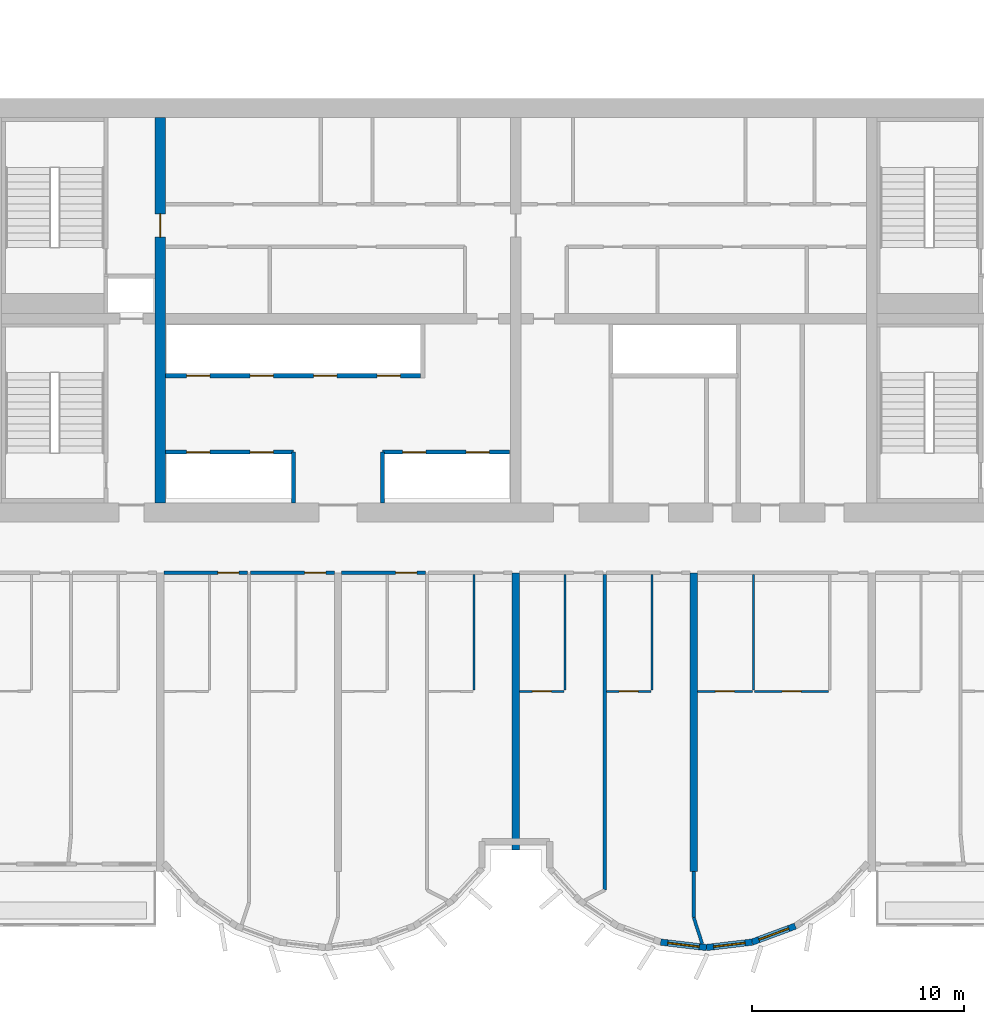
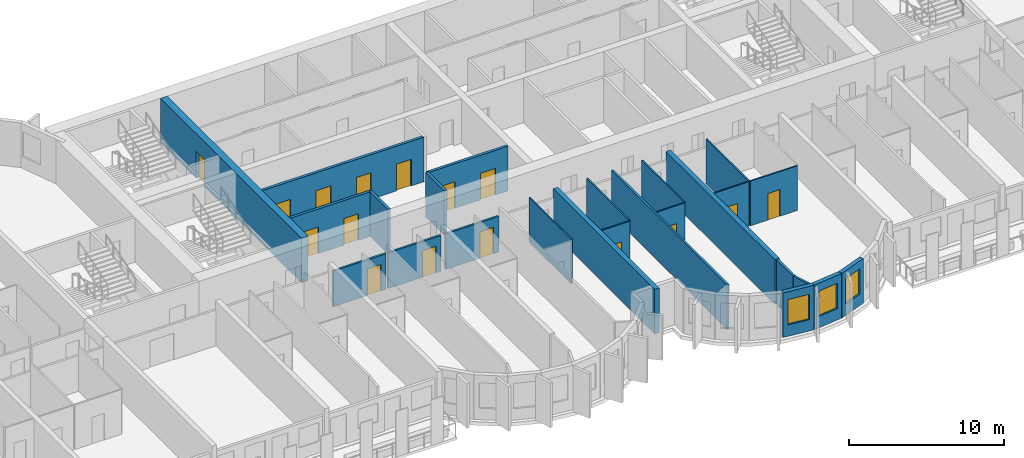
# One storey, part 6 of 15: 25 walls, 16 doors, 3 windows, 19 openings.
"""IFC4 building model written with IfcOpenShell, lengths in metres."""

from ifc_helpers import new_model, si_unit, direction, frame, frame_2d, origin, place, context, subcontext, project, spatial, rectangle, extrude, source, transform, mapped, material, layer, layer_set, type_object, element, fill, save


model = new_model("IFC4")

# Units and contexts
model_context = context("Model", 3, precision=1e-05, world=origin(), true_north=direction((0.0, 1.0)))
body_context = subcontext(model_context, "Body", "Model", "MODEL_VIEW")
ifc_project = project(units=[si_unit("LENGTHUNIT", "METRE"), si_unit("AREAUNIT", "SQUARE_METRE"), si_unit("VOLUMEUNIT", "CUBIC_METRE"), si_unit("PLANEANGLEUNIT", "RADIAN"), si_unit("MASSUNIT", "GRAM", prefix="KILO")], contexts=[model_context])

# Site, building, storey
site_placement = place(None, origin())
site = spatial("IfcSite", under=ifc_project, at=site_placement, CompositionType="ELEMENT")
building_placement = place(site_placement, origin())
building = spatial("IfcBuilding", under=site, at=building_placement, Name="Vanashikhar Sky Hotel", CompositionType="ELEMENT")
storey_placement = place(building_placement, frame((0.0, 0.0, 91.39990234375)))
storey = spatial("IfcBuildingStorey", under=building, at=storey_placement, Name="L21", CompositionType="ELEMENT", Elevation=91.39990234375)

# Wall, opening, door
ifc_material_1 = material(Name="Concrete M70", Category="concrete")
ifc_layer_1 = layer(ifc_material_1, 0.5)
ifc_layer_set_1 = layer_set([ifc_layer_1], Name="RC core inner wall 500 Concrete M70")
wall_type_1 = type_object("IfcWallType", Name="RC core inner wall 500 Concrete M70", PredefinedType="SHEAR", material=ifc_layer_set_1)
shared_shape_1 = source(origin(), body_context, "Body", "SweptSolid", [
    extrude(rectangle(XDim=18.2001953125, YDim=0.5, at=frame_2d((9.10009765625, 0.0))), origin(), (0.0, 0.0, 1.0), 3.52001953125),
])
wall_1_placement = place(storey_placement, frame((33.60009765625, 22.89990234375, 0.0), z_axis=(0.0, 0.0, 1.0), x_axis=(0.0, 1.0, 0.0)))
wall_1 = element("IfcWall", 1, at=wall_1_placement, inside=storey, type_object=wall_type_1, Name="KW-L21-KX1", PredefinedType="SHEAR", context=body_context, shape_type="MappedRepresentation", body=[
    mapped(shared_shape_1, transform((0.0, 0.0, 0.0), scale=1.0)),
])
shared_shape_2 = source(origin(), body_context, "Body", "SweptSolid", [
    extrude(rectangle(XDim=1.10009765625, YDim=2.10009765625, at=frame_2d((0.550048828125, 1.050048828125))), frame((0.0, 0.260009765625, 0.0), z_axis=(0.0, -1.0, 0.0), x_axis=(1.0, 0.0, 0.0)), (0.0, 0.0, 1.0), 0.52001953125),
])
opening_1_placement = place(wall_1_placement, frame((12.550048828125, 0.0, 0.0)))
opening_1 = element("IfcOpeningElement", 2, at=opening_1_placement, cuts=wall_1, Name="Opening DC-4-C", PredefinedType="OPENING", context=body_context, shape_type="MappedRepresentation", body=[
    mapped(shared_shape_2, transform((0.0, 0.0, 0.0), scale=1.0)),
])
ifc_material_2 = material(Name="Steel", Category="steel")
door_type_1 = type_object("IfcDoorType", Name="Service door 1100 FD60", OperationType="NOTDEFINED", PredefinedType="DOOR", material=ifc_material_2)
shared_shape_3 = source(origin(), body_context, "Body", "SweptSolid", [
    extrude(rectangle(XDim=1.10009765625, YDim=2.10009765625, at=frame_2d((0.550048828125, 1.050048828125))), frame((0.0, 0.02490234375, 0.0), z_axis=(0.0, -1.0, 0.0), x_axis=(1.0, 0.0, 0.0)), (0.0, 0.0, 1.0), 0.050048828125),
])
door_1_placement = place(opening_1_placement, origin())
door_1 = element("IfcDoor", 3, at=door_1_placement, inside=storey, type_object=door_type_1, Name="Service door 1100 FD60", OperationType="SINGLE_SWING_RIGHT", OverallHeight=2.10009765625, OverallWidth=1.10009765625, PredefinedType="DOOR", context=body_context, shape_type="MappedRepresentation", body=[
    mapped(shared_shape_3, transform((0.0, 0.0, 0.0), scale=1.0)),
])
fill(opening_1, door_1)

# Walls
ifc_layer_2 = layer(ifc_material_1, 0.35009765625)
ifc_layer_set_2 = layer_set([ifc_layer_2], Name="RC shear wall 350 Concrete M70")
wall_type_2 = type_object("IfcWallType", Name="RC shear wall 350 Concrete M70", PredefinedType="SHEAR", material=ifc_layer_set_2)
shared_shape_4 = source(origin(), body_context, "Body", "SweptSolid", [
    extrude(rectangle(XDim=14.10009765625, YDim=0.35009765625, at=frame_2d((7.050048828125, 0.0))), origin(), (0.0, 0.0, 1.0), 3.52001953125),
])
wall_2_placement = place(storey_placement, frame((58.800048828125, 5.5, 0.0), z_axis=(0.0, 0.0, 1.0), x_axis=(0.0, 1.0, 0.0)))
element("IfcWall", 4, at=wall_2_placement, inside=storey, type_object=wall_type_2, Name="CW-L21-XW08-1", PredefinedType="SHEAR", context=body_context, shape_type="MappedRepresentation", body=[
    mapped(shared_shape_4, transform((0.0, 0.0, 0.0), scale=1.0)),
])
shared_shape_5 = source(origin(), body_context, "Body", "SweptSolid", [
    extrude(rectangle(XDim=13.10009765625, YDim=0.35009765625, at=frame_2d((6.550048828125, 0.0))), origin(), (0.0, 0.0, 1.0), 3.52001953125),
])
wall_3_placement = place(storey_placement, frame((50.39990234375, 6.5, 0.0), z_axis=(0.0, 0.0, 1.0), x_axis=(0.0, 1.0, 0.0)))
element("IfcWall", 5, at=wall_3_placement, inside=storey, type_object=wall_type_2, Name="CW-L21-XW07-1", PredefinedType="SHEAR", context=body_context, shape_type="MappedRepresentation", body=[
    mapped(shared_shape_5, transform((0.0, 0.0, 0.0), scale=1.0)),
])

# Wall, opening, window
ifc_material_3 = material(Name="Concrete M50", Category="concrete")
ifc_layer_3 = layer(ifc_material_3, 0.300048828125)
ifc_layer_set_3 = layer_set([ifc_layer_3], Name="Lobe wall 300")
wall_type_3 = type_object("IfcWallType", Name="Lobe wall 300", PredefinedType="SOLIDWALL", material=ifc_layer_set_3)
shared_shape_6 = source(origin(), body_context, "Body", "SweptSolid", [
    extrude(rectangle(XDim=2.174560546875, YDim=0.300048828125, at=frame_2d((1.08740234375, 0.0))), origin(), (0.0, 0.0, 1.0), 3.52001953125),
])
wall_4_placement = place(storey_placement, frame((57.240478515625, 2.15966796875, 0.0), z_axis=(0.0, 0.0, 1.0), x_axis=(0.993001132889, -0.118104826659, 0.0)))
wall_4 = element("IfcWall", 6, at=wall_4_placement, inside=storey, type_object=wall_type_3, Name="Lobe wall", PredefinedType="SOLIDWALL", context=body_context, shape_type="MappedRepresentation", body=[
    mapped(shared_shape_6, transform((0.0, 0.0, 0.0), scale=1.0)),
])
shared_shape_7 = source(origin(), body_context, "Body", "SweptSolid", [
    extrude(rectangle(XDim=1.5, YDim=2.0, at=frame_2d((0.75, 1.0))), frame((0.0, 0.16015625, 0.0), z_axis=(0.0, -1.0, 0.0), x_axis=(1.0, 0.0, 0.0)), (0.0, 0.0, 1.0), 0.320068359375),
])
opening_2_placement = place(wall_4_placement, frame((0.33740234375, 0.0, 0.89990234375)))
opening_2 = element("IfcOpeningElement", 7, at=opening_2_placement, cuts=wall_4, Name="Opening WN-2", PredefinedType="OPENING", context=body_context, shape_type="MappedRepresentation", body=[
    mapped(shared_shape_7, transform((0.0, 0.0, 0.0), scale=1.0)),
])
ifc_material_4 = material(Name="Glass", Category="glass")
window_type = type_object("IfcWindowType", Name="Lobe window 1500 x 2000", PartitioningType="SINGLE_PANEL", PredefinedType="WINDOW", material=ifc_material_4)
shared_shape_8 = source(origin(), body_context, "Body", "SweptSolid", [
    extrude(rectangle(XDim=1.5, YDim=2.0, at=frame_2d((0.75, 1.0))), frame((0.0, 0.030029296875, 0.0), z_axis=(0.0, -1.0, 0.0), x_axis=(1.0, 0.0, 0.0)), (0.0, 0.0, 1.0), 0.06005859375),
])
window_1_placement = place(opening_2_placement, origin())
window_1 = element("IfcWindow", 8, at=window_1_placement, inside=storey, type_object=window_type, Name="Window WN-2", OverallHeight=2.0, OverallWidth=1.5, PartitioningType="SINGLE_PANEL", PredefinedType="WINDOW", context=body_context, shape_type="MappedRepresentation", body=[
    mapped(shared_shape_8, transform((0.0, 0.0, 0.0), scale=1.0)),
])
fill(opening_2, window_1)

shared_shape_9 = source(origin(), body_context, "Body", "SweptSolid", [
    extrude(rectangle(XDim=2.1748046875, YDim=0.300048828125, at=frame_2d((1.08740234375, 0.0))), origin(), (0.0, 0.0, 1.0), 3.52001953125),
])
wall_5_placement = place(storey_placement, frame((59.39990234375, 1.90283203125, 0.0), z_axis=(0.0, 0.0, 1.0), x_axis=(0.993002698611, 0.118091661648, 0.0)))
wall_5 = element("IfcWall", 9, at=wall_5_placement, inside=storey, type_object=wall_type_3, Name="Lobe wall", PredefinedType="SOLIDWALL", context=body_context, shape_type="MappedRepresentation", body=[
    mapped(shared_shape_9, transform((0.0, 0.0, 0.0), scale=1.0)),
])
opening_3_placement = place(wall_5_placement, frame((0.33740234375, 0.0, 0.89990234375)))
opening_3 = element("IfcOpeningElement", 10, at=opening_3_placement, cuts=wall_5, Name="Opening WN-2", PredefinedType="OPENING", context=body_context, shape_type="MappedRepresentation", body=[
    mapped(shared_shape_7, transform((0.0, 0.0, 0.0), scale=1.0)),
])
window_2_placement = place(opening_3_placement, origin())
window_2 = element("IfcWindow", 11, at=window_2_placement, inside=storey, type_object=window_type, Name="Window WN-2", OverallHeight=2.0, OverallWidth=1.5, PartitioningType="SINGLE_PANEL", PredefinedType="WINDOW", context=body_context, shape_type="MappedRepresentation", body=[
    mapped(shared_shape_8, transform((0.0, 0.0, 0.0), scale=1.0)),
])
fill(opening_3, window_2)

shared_shape_10 = source(origin(), body_context, "Body", "SweptSolid", [
    extrude(rectangle(XDim=2.175537109375, YDim=0.300048828125, at=frame_2d((1.087890625, 0.0))), origin(), (0.0, 0.0, 1.0), 3.52001953125),
])
wall_6_placement = place(storey_placement, frame((61.5595703125, 2.15966796875, 0.0), z_axis=(0.0, 0.0, 1.0), x_axis=(0.937531979054, 0.347899106424, 0.0)))
wall_6 = element("IfcWall", 12, at=wall_6_placement, inside=storey, type_object=wall_type_3, Name="Lobe wall", PredefinedType="SOLIDWALL", context=body_context, shape_type="MappedRepresentation", body=[
    mapped(shared_shape_10, transform((0.0, 0.0, 0.0), scale=1.0)),
])
opening_4_placement = place(wall_6_placement, frame((0.337890625, 0.0, 0.89990234375)))
opening_4 = element("IfcOpeningElement", 13, at=opening_4_placement, cuts=wall_6, Name="Opening WN-2", PredefinedType="OPENING", context=body_context, shape_type="MappedRepresentation", body=[
    mapped(shared_shape_7, transform((0.0, 0.0, 0.0), scale=1.0)),
])
window_3_placement = place(opening_4_placement, origin())
window_3 = element("IfcWindow", 14, at=window_3_placement, inside=storey, type_object=window_type, Name="Window WN-2", OverallHeight=2.0, OverallWidth=1.5, PartitioningType="SINGLE_PANEL", PredefinedType="WINDOW", context=body_context, shape_type="MappedRepresentation", body=[
    mapped(shared_shape_8, transform((0.0, 0.0, 0.0), scale=1.0)),
])
fill(opening_4, window_3)

# Wall, openings, doors
ifc_material_5 = material(Name="Concrete M40", Category="concrete")
ifc_layer_4 = layer(ifc_material_5, 0.199951171875)
ifc_layer_set_4 = layer_set([ifc_layer_4], Name="Shaft wall 200")
wall_type_4 = type_object("IfcWallType", Name="Shaft wall 200", PredefinedType="SOLIDWALL", material=ifc_layer_set_4)
shared_shape_11 = source(origin(), body_context, "Body", "SweptSolid", [
    extrude(rectangle(XDim=6.0, YDim=0.199951171875, at=frame_2d((3.0, 0.0))), origin(), (0.0, 0.0, 1.0), 3.52001953125),
])
wall_7_placement = place(storey_placement, frame((44.10009765625, 25.300048828125, 0.0), z_axis=(0.0, 0.0, 1.0), x_axis=(1.0, 0.0, 0.0)))
wall_7 = element("IfcWall", 15, at=wall_7_placement, inside=storey, type_object=wall_type_4, Name="Shaft wall 200", PredefinedType="SOLIDWALL", context=body_context, shape_type="MappedRepresentation", body=[
    mapped(shared_shape_11, transform((0.0, 0.0, 0.0), scale=1.0)),
])
shared_shape_12 = source(origin(), body_context, "Body", "SweptSolid", [
    extrude(rectangle(XDim=1.10009765625, YDim=2.10009765625, at=frame_2d((0.550048828125, 1.050048828125))), frame((0.0, 0.10986328125, 0.0), z_axis=(0.0, -1.0, 0.0), x_axis=(1.0, 0.0, 0.0)), (0.0, 0.0, 1.0), 0.219970703125),
])
opening_5_placement = place(wall_7_placement, frame((0.949951171875, 0.0, 0.0)))
opening_5 = element("IfcOpeningElement", 16, at=opening_5_placement, cuts=wall_7, Name="Opening LD", PredefinedType="OPENING", context=body_context, shape_type="MappedRepresentation", body=[
    mapped(shared_shape_12, transform((0.0, 0.0, 0.0), scale=1.0)),
])
opening_6_placement = place(wall_7_placement, frame((3.949951171875, 0.0, 0.0)))
opening_6 = element("IfcOpeningElement", 17, at=opening_6_placement, cuts=wall_7, Name="Opening LD", PredefinedType="OPENING", context=body_context, shape_type="MappedRepresentation", body=[
    mapped(shared_shape_12, transform((0.0, 0.0, 0.0), scale=1.0)),
])
ifc_material_6 = material(Name="Stainless steel", Category="steel")
door_type_2 = type_object("IfcDoorType", Name="Lift landing door 1100", OperationType="NOTDEFINED", PredefinedType="DOOR", material=ifc_material_6)
door_2_placement = place(opening_5_placement, origin())
door_2 = element("IfcDoor", 18, at=door_2_placement, inside=storey, type_object=door_type_2, Name="Lift landing door 1100", OperationType="SLIDING_TO_LEFT", OverallHeight=2.10009765625, OverallWidth=1.10009765625, PredefinedType="DOOR", context=body_context, shape_type="MappedRepresentation", body=[
    mapped(shared_shape_3, transform((0.0, 0.0, 0.0), scale=1.0)),
])
fill(opening_5, door_2)
door_3_placement = place(opening_6_placement, origin())
door_3 = element("IfcDoor", 19, at=door_3_placement, inside=storey, type_object=door_type_2, Name="Lift landing door 1100", OperationType="SLIDING_TO_RIGHT", OverallHeight=2.10009765625, OverallWidth=1.10009765625, PredefinedType="DOOR", context=body_context, shape_type="MappedRepresentation", body=[
    mapped(shared_shape_3, transform((0.0, 0.0, 0.0), scale=1.0)),
])
fill(opening_6, door_3)

shared_shape_13 = source(origin(), body_context, "Body", "SweptSolid", [
    extrude(rectangle(XDim=6.0498046875, YDim=0.199951171875, at=frame_2d((3.02490234375, 0.0))), origin(), (0.0, 0.0, 1.0), 3.52001953125),
])
wall_8_placement = place(storey_placement, frame((33.85009765625, 25.300048828125, 0.0), z_axis=(0.0, 0.0, 1.0), x_axis=(1.0, 0.0, 0.0)))
wall_8 = element("IfcWall", 20, at=wall_8_placement, inside=storey, type_object=wall_type_4, Name="Shaft wall 200", PredefinedType="SOLIDWALL", context=body_context, shape_type="MappedRepresentation", body=[
    mapped(shared_shape_13, transform((0.0, 0.0, 0.0), scale=1.0)),
])
opening_7_placement = place(wall_8_placement, frame((1.0, 0.0, 0.0)))
opening_7 = element("IfcOpeningElement", 21, at=opening_7_placement, cuts=wall_8, Name="Opening LD", PredefinedType="OPENING", context=body_context, shape_type="MappedRepresentation", body=[
    mapped(shared_shape_12, transform((0.0, 0.0, 0.0), scale=1.0)),
])
opening_8_placement = place(wall_8_placement, frame((4.0, 0.0, 0.0)))
opening_8 = element("IfcOpeningElement", 22, at=opening_8_placement, cuts=wall_8, Name="Opening LD", PredefinedType="OPENING", context=body_context, shape_type="MappedRepresentation", body=[
    mapped(shared_shape_12, transform((0.0, 0.0, 0.0), scale=1.0)),
])
door_4_placement = place(opening_7_placement, origin())
door_4 = element("IfcDoor", 23, at=door_4_placement, inside=storey, type_object=door_type_2, Name="Lift landing door 1100", OperationType="SLIDING_TO_LEFT", OverallHeight=2.10009765625, OverallWidth=1.10009765625, PredefinedType="DOOR", context=body_context, shape_type="MappedRepresentation", body=[
    mapped(shared_shape_3, transform((0.0, 0.0, 0.0), scale=1.0)),
])
fill(opening_7, door_4)
door_5_placement = place(opening_8_placement, origin())
door_5 = element("IfcDoor", 24, at=door_5_placement, inside=storey, type_object=door_type_2, Name="Lift landing door 1100", OperationType="SLIDING_TO_RIGHT", OverallHeight=2.10009765625, OverallWidth=1.10009765625, PredefinedType="DOOR", context=body_context, shape_type="MappedRepresentation", body=[
    mapped(shared_shape_3, transform((0.0, 0.0, 0.0), scale=1.0)),
])
fill(opening_8, door_5)

shared_shape_14 = source(origin(), body_context, "Body", "SweptSolid", [
    extrude(rectangle(XDim=12.0498046875, YDim=0.199951171875, at=frame_2d((6.02490234375, 0.0))), origin(), (0.0, 0.0, 1.0), 3.52001953125),
])
wall_9_placement = place(storey_placement, frame((33.85009765625, 28.89990234375, 0.0), z_axis=(0.0, 0.0, 1.0), x_axis=(1.0, 0.0, 0.0)))
wall_9 = element("IfcWall", 25, at=wall_9_placement, inside=storey, type_object=wall_type_4, Name="Shaft wall 200", PredefinedType="SOLIDWALL", context=body_context, shape_type="MappedRepresentation", body=[
    mapped(shared_shape_14, transform((0.0, 0.0, 0.0), scale=1.0)),
])
opening_9_placement = place(wall_9_placement, frame((1.0, 0.0, 0.0)))
opening_9 = element("IfcOpeningElement", 26, at=opening_9_placement, cuts=wall_9, Name="Opening LD", PredefinedType="OPENING", context=body_context, shape_type="MappedRepresentation", body=[
    mapped(shared_shape_12, transform((0.0, 0.0, 0.0), scale=1.0)),
])
opening_10_placement = place(wall_9_placement, frame((4.0, 0.0, 0.0)))
opening_10 = element("IfcOpeningElement", 27, at=opening_10_placement, cuts=wall_9, Name="Opening LD", PredefinedType="OPENING", context=body_context, shape_type="MappedRepresentation", body=[
    mapped(shared_shape_12, transform((0.0, 0.0, 0.0), scale=1.0)),
])
opening_11_placement = place(wall_9_placement, frame((7.0, 0.0, 0.0)))
opening_11 = element("IfcOpeningElement", 28, at=opening_11_placement, cuts=wall_9, Name="Opening LD", PredefinedType="OPENING", context=body_context, shape_type="MappedRepresentation", body=[
    mapped(shared_shape_12, transform((0.0, 0.0, 0.0), scale=1.0)),
])
opening_12_placement = place(wall_9_placement, frame((10.0, 0.0, 0.0)))
opening_12 = element("IfcOpeningElement", 29, at=opening_12_placement, cuts=wall_9, Name="Opening LD", PredefinedType="OPENING", context=body_context, shape_type="MappedRepresentation", body=[
    mapped(shared_shape_12, transform((0.0, 0.0, 0.0), scale=1.0)),
])
door_6_placement = place(opening_9_placement, origin())
door_6 = element("IfcDoor", 30, at=door_6_placement, inside=storey, type_object=door_type_2, Name="Lift landing door 1100", OperationType="SLIDING_TO_LEFT", OverallHeight=2.10009765625, OverallWidth=1.10009765625, PredefinedType="DOOR", context=body_context, shape_type="MappedRepresentation", body=[
    mapped(shared_shape_3, transform((0.0, 0.0, 0.0), scale=1.0)),
])
fill(opening_9, door_6)
door_7_placement = place(opening_10_placement, origin())
door_7 = element("IfcDoor", 31, at=door_7_placement, inside=storey, type_object=door_type_2, Name="Lift landing door 1100", OperationType="SLIDING_TO_RIGHT", OverallHeight=2.10009765625, OverallWidth=1.10009765625, PredefinedType="DOOR", context=body_context, shape_type="MappedRepresentation", body=[
    mapped(shared_shape_3, transform((0.0, 0.0, 0.0), scale=1.0)),
])
fill(opening_10, door_7)
door_8_placement = place(opening_11_placement, origin())
door_8 = element("IfcDoor", 32, at=door_8_placement, inside=storey, type_object=door_type_2, Name="Lift landing door 1100", OperationType="SLIDING_TO_LEFT", OverallHeight=2.10009765625, OverallWidth=1.10009765625, PredefinedType="DOOR", context=body_context, shape_type="MappedRepresentation", body=[
    mapped(shared_shape_3, transform((0.0, 0.0, 0.0), scale=1.0)),
])
fill(opening_11, door_8)
door_9_placement = place(opening_12_placement, origin())
door_9 = element("IfcDoor", 33, at=door_9_placement, inside=storey, type_object=door_type_2, Name="Lift landing door 1100", OperationType="SLIDING_TO_RIGHT", OverallHeight=2.10009765625, OverallWidth=1.10009765625, PredefinedType="DOOR", context=body_context, shape_type="MappedRepresentation", body=[
    mapped(shared_shape_3, transform((0.0, 0.0, 0.0), scale=1.0)),
])
fill(opening_12, door_9)

# Walls
shared_shape_15 = source(origin(), body_context, "Body", "SweptSolid", [
    extrude(rectangle(XDim=2.400146484375, YDim=0.199951171875, at=frame_2d((1.2001953125, 0.0))), origin(), (0.0, 0.0, 1.0), 3.52001953125),
])
for number, where, z_axis, x_axis, name in (
    (34, (39.89990234375, 22.89990234375, 0.0), (0.0, 0.0, 1.0), (0.0, 1.0, 0.0), "Shaft wall 200"),
    (35, (44.10009765625, 22.89990234375, 0.0), (0.0, 0.0, 1.0), (0.0, 1.0, 0.0), "Shaft wall 200"),
):
    element("IfcWall", number, at=place(storey_placement, frame(where, z_axis=z_axis, x_axis=x_axis)), inside=storey, type_object=wall_type_4, Name=name, PredefinedType="SOLIDWALL", context=body_context, shape_type="MappedRepresentation", body=[
        mapped(shared_shape_15, transform((0.0, 0.0, 0.0), scale=1.0)),
    ])
ifc_material_7 = material(Name="Gypsum plasterboard partition")
ifc_layer_5 = layer(ifc_material_7, 0.14990234375)
ifc_layer_set_5 = layer_set([ifc_layer_5], Name="Corridor and demising partition 150")
wall_type_5 = type_object("IfcWallType", Name="Corridor and demising partition 150", PredefinedType="PARTITIONING", material=ifc_layer_set_5)
shared_shape_16 = source(origin(), body_context, "Body", "SweptSolid", [
    extrude(rectangle(XDim=2.177978515625, YDim=0.14990234375, at=frame_2d((1.0888671875, 0.0))), origin(), (0.0, 0.0, 1.0), 3.52001953125),
])
wall_10_placement = place(storey_placement, frame((58.800048828125, 3.322021484375, 0.0), z_axis=(0.0, 0.0, 1.0), x_axis=(0.0, 1.0, 0.0)))
element("IfcWall", 36, at=wall_10_placement, inside=storey, type_object=wall_type_5, Name="W-L21-PW072", PredefinedType="PARTITIONING", context=body_context, shape_type="MappedRepresentation", body=[
    mapped(shared_shape_16, transform((0.0, 0.0, 0.0), scale=1.0)),
])

# Wall, opening, door
ifc_layer_6 = layer(ifc_material_7, 0.10009765625)
ifc_layer_set_6 = layer_set([ifc_layer_6], Name="Wet room partition 100")
wall_type_6 = type_object("IfcWallType", Name="Wet room partition 100", PredefinedType="PARTITIONING", material=ifc_layer_set_6)
shared_shape_17 = source(origin(), body_context, "Body", "SweptSolid", [
    extrude(rectangle(XDim=3.5, YDim=0.10009765625, at=frame_2d((1.75, 0.0))), origin(), (0.0, 0.0, 1.0), 3.52001953125),
])
wall_11_placement = place(storey_placement, frame((61.675048828125, 14.0, 0.0), z_axis=(0.0, 0.0, 1.0), x_axis=(1.0, 0.0, 0.0)))
wall_11 = element("IfcWall", 37, at=wall_11_placement, inside=storey, type_object=wall_type_6, Name="W-L21-PW044", PredefinedType="PARTITIONING", context=body_context, shape_type="MappedRepresentation", body=[
    mapped(shared_shape_17, transform((0.0, 0.0, 0.0), scale=1.0)),
])
shared_shape_18 = source(origin(), body_context, "Body", "SweptSolid", [
    extrude(rectangle(XDim=0.89990234375, YDim=2.10009765625, at=frame_2d((0.449951171875, 1.050048828125))), frame((0.0, 0.06005859375, 0.0), z_axis=(0.0, -1.0, 0.0), x_axis=(1.0, 0.0, 0.0)), (0.0, 0.0, 1.0), 0.1201171875),
])
opening_13_placement = place(wall_11_placement, frame((1.300048828125, 0.0, 0.0)))
opening_13 = element("IfcOpeningElement", 38, at=opening_13_placement, cuts=wall_11, Name="Opening D-02", PredefinedType="OPENING", context=body_context, shape_type="MappedRepresentation", body=[
    mapped(shared_shape_18, transform((0.0, 0.0, 0.0), scale=1.0)),
])
ifc_material_8 = material(Name="Timber door", Category="wood")
door_type_3 = type_object("IfcDoorType", Name="Internal door 900", OperationType="NOTDEFINED", PredefinedType="DOOR", material=ifc_material_8)
shared_shape_19 = source(origin(), body_context, "Body", "SweptSolid", [
    extrude(rectangle(XDim=0.89990234375, YDim=2.10009765625, at=frame_2d((0.449951171875, 1.050048828125))), frame((0.0, 0.02490234375, 0.0), z_axis=(0.0, -1.0, 0.0), x_axis=(1.0, 0.0, 0.0)), (0.0, 0.0, 1.0), 0.050048828125),
])
door_10_placement = place(opening_13_placement, origin())
door_10 = element("IfcDoor", 39, at=door_10_placement, inside=storey, type_object=door_type_3, Name="D-L21-025", OperationType="SINGLE_SWING_RIGHT", OverallHeight=2.10009765625, OverallWidth=0.89990234375, PredefinedType="DOOR", context=body_context, shape_type="MappedRepresentation", body=[
    mapped(shared_shape_19, transform((0.0, 0.0, 0.0), scale=1.0)),
])
fill(opening_13, door_10)

# Walls
shared_shape_20 = source(origin(), body_context, "Body", "SweptSolid", [
    extrude(rectangle(XDim=1.308349609375, YDim=0.14990234375, at=frame_2d((0.654296875, 0.0))), origin(), (0.0, 0.0, 1.0), 3.52001953125),
])
wall_12_placement = place(storey_placement, frame((59.201904296875, 2.076904296875, 0.0), z_axis=(0.0, 0.0, 1.0), x_axis=(-0.307144529633, 0.951662880392, 0.0)))
element("IfcWall", 40, at=wall_12_placement, inside=storey, type_object=wall_type_5, Name="W-L21-PW072B0", PredefinedType="PARTITIONING", context=body_context, shape_type="MappedRepresentation", body=[
    mapped(shared_shape_20, transform((0.0, 0.0, 0.0), scale=1.0)),
])
shared_shape_21 = source(origin(), body_context, "Body", "SweptSolid", [
    extrude(rectangle(XDim=5.449951171875, YDim=0.10009765625, at=frame_2d((2.72509765625, 0.0))), origin(), (0.0, 0.0, 1.0), 3.52001953125),
])
for number, where, z_axis, x_axis, name in (
    (41, (48.425048828125, 14.074951171875, 0.0), (0.0, 0.0, 1.0), (0.0, 1.0, 0.0), "W-L21-PW031"),
    (42, (52.72509765625, 14.074951171875, 0.0), (0.0, 0.0, 1.0), (0.0, 1.0, 0.0), "W-L21-PW035"),
    (43, (56.824951171875, 14.074951171875, 0.0), (0.0, 0.0, 1.0), (0.0, 1.0, 0.0), "W-L21-PW038"),
    (44, (61.625, 14.074951171875, 0.0), (0.0, 0.0, 1.0), (0.0, 1.0, 0.0), "W-L21-PW043"),
):
    element("IfcWall", number, at=place(storey_placement, frame(where, z_axis=z_axis, x_axis=x_axis)), inside=storey, type_object=wall_type_6, Name=name, PredefinedType="PARTITIONING", context=body_context, shape_type="MappedRepresentation", body=[
        mapped(shared_shape_21, transform((0.0, 0.0, 0.0), scale=1.0)),
    ])

# Wall, opening, door
shared_shape_22 = source(origin(), body_context, "Body", "SweptSolid", [
    extrude(rectangle(XDim=2.10009765625, YDim=0.10009765625, at=frame_2d((1.050048828125, 0.0))), origin(), (0.0, 0.0, 1.0), 3.52001953125),
])
wall_13_placement = place(storey_placement, frame((50.574951171875, 14.0, 0.0), z_axis=(0.0, 0.0, 1.0), x_axis=(1.0, 0.0, 0.0)))
wall_13 = element("IfcWall", 45, at=wall_13_placement, inside=storey, type_object=wall_type_6, Name="W-L21-PW036", PredefinedType="PARTITIONING", context=body_context, shape_type="MappedRepresentation", body=[
    mapped(shared_shape_22, transform((0.0, 0.0, 0.0), scale=1.0)),
])
opening_14_placement = place(wall_13_placement, frame((0.60009765625, 0.0, 0.0)))
opening_14 = element("IfcOpeningElement", 46, at=opening_14_placement, cuts=wall_13, Name="Opening D-02", PredefinedType="OPENING", context=body_context, shape_type="MappedRepresentation", body=[
    mapped(shared_shape_18, transform((0.0, 0.0, 0.0), scale=1.0)),
])
door_11_placement = place(opening_14_placement, origin())
door_11 = element("IfcDoor", 47, at=door_11_placement, inside=storey, type_object=door_type_3, Name="D-L21-021", OperationType="SINGLE_SWING_RIGHT", OverallHeight=2.10009765625, OverallWidth=0.89990234375, PredefinedType="DOOR", context=body_context, shape_type="MappedRepresentation", body=[
    mapped(shared_shape_19, transform((0.0, 0.0, 0.0), scale=1.0)),
])
fill(opening_14, door_11)

shared_shape_23 = source(origin(), body_context, "Body", "SweptSolid", [
    extrude(rectangle(XDim=3.9501953125, YDim=0.14990234375, at=frame_2d((1.97509765625, 0.0))), origin(), (0.0, 0.0, 1.0), 2.820068359375),
])
wall_14_placement = place(storey_placement, frame((33.77490234375, 19.60009765625, 0.0), z_axis=(0.0, 0.0, 1.0), x_axis=(1.0, 0.0, 0.0)))
wall_14 = element("IfcWall", 48, at=wall_14_placement, inside=storey, type_object=wall_type_5, Name="W-L21-PW023", PredefinedType="PARTITIONING", context=body_context, shape_type="MappedRepresentation", body=[
    mapped(shared_shape_23, transform((0.0, 0.0, 0.0), scale=1.0)),
])
shared_shape_24 = source(origin(), body_context, "Body", "SweptSolid", [
    extrude(rectangle(XDim=1.0, YDim=2.10009765625, at=frame_2d((0.5, 1.050048828125))), frame((0.0, 0.0849609375, 0.0), z_axis=(0.0, -1.0, 0.0), x_axis=(1.0, 0.0, 0.0)), (0.0, 0.0, 1.0), 0.169921875),
])
opening_15_placement = place(wall_14_placement, frame((2.550048828125, 0.0, 0.0)))
opening_15 = element("IfcOpeningElement", 49, at=opening_15_placement, cuts=wall_14, Name="Opening D-01", PredefinedType="OPENING", context=body_context, shape_type="MappedRepresentation", body=[
    mapped(shared_shape_24, transform((0.0, 0.0, 0.0), scale=1.0)),
])
ifc_material_9 = material(Name="Timber fire door", Category="wood")
door_type_4 = type_object("IfcDoorType", Name="Guest entry door 1000 FD30S", OperationType="NOTDEFINED", PredefinedType="DOOR", material=ifc_material_9)
shared_shape_25 = source(origin(), body_context, "Body", "SweptSolid", [
    extrude(rectangle(XDim=1.0, YDim=2.10009765625, at=frame_2d((0.5, 1.050048828125))), frame((0.0, 0.02490234375, 0.0), z_axis=(0.0, -1.0, 0.0), x_axis=(1.0, 0.0, 0.0)), (0.0, 0.0, 1.0), 0.050048828125),
])
door_12_placement = place(opening_15_placement, origin())
door_12 = element("IfcDoor", 50, at=door_12_placement, inside=storey, type_object=door_type_4, Name="D-L21-014", OperationType="SINGLE_SWING_RIGHT", OverallHeight=2.10009765625, OverallWidth=1.0, PredefinedType="DOOR", context=body_context, shape_type="MappedRepresentation", body=[
    mapped(shared_shape_25, transform((0.0, 0.0, 0.0), scale=1.0)),
])
fill(opening_15, door_12)

shared_shape_26 = source(origin(), body_context, "Body", "SweptSolid", [
    extrude(rectangle(XDim=3.949951171875, YDim=0.14990234375, at=frame_2d((1.97509765625, 0.0))), origin(), (0.0, 0.0, 1.0), 2.820068359375),
])
wall_15_placement = place(storey_placement, frame((37.875, 19.60009765625, 0.0), z_axis=(0.0, 0.0, 1.0), x_axis=(1.0, 0.0, 0.0)))
wall_15 = element("IfcWall", 51, at=wall_15_placement, inside=storey, type_object=wall_type_5, Name="W-L21-PW026", PredefinedType="PARTITIONING", context=body_context, shape_type="MappedRepresentation", body=[
    mapped(shared_shape_26, transform((0.0, 0.0, 0.0), scale=1.0)),
])
opening_16_placement = place(wall_15_placement, frame((2.550048828125, 0.0, 0.0)))
opening_16 = element("IfcOpeningElement", 52, at=opening_16_placement, cuts=wall_15, Name="Opening D-01", PredefinedType="OPENING", context=body_context, shape_type="MappedRepresentation", body=[
    mapped(shared_shape_24, transform((0.0, 0.0, 0.0), scale=1.0)),
])
door_13_placement = place(opening_16_placement, origin())
door_13 = element("IfcDoor", 53, at=door_13_placement, inside=storey, type_object=door_type_4, Name="D-L21-016", OperationType="SINGLE_SWING_RIGHT", OverallHeight=2.10009765625, OverallWidth=1.0, PredefinedType="DOOR", context=body_context, shape_type="MappedRepresentation", body=[
    mapped(shared_shape_25, transform((0.0, 0.0, 0.0), scale=1.0)),
])
fill(opening_16, door_13)

wall_16_placement = place(storey_placement, frame((42.175048828125, 19.60009765625, 0.0), z_axis=(0.0, 0.0, 1.0), x_axis=(1.0, 0.0, 0.0)))
wall_16 = element("IfcWall", 54, at=wall_16_placement, inside=storey, type_object=wall_type_5, Name="W-L21-PW030", PredefinedType="PARTITIONING", context=body_context, shape_type="MappedRepresentation", body=[
    mapped(shared_shape_26, transform((0.0, 0.0, 0.0), scale=1.0)),
])
opening_17_placement = place(wall_16_placement, frame((2.550048828125, 0.0, 0.0)))
opening_17 = element("IfcOpeningElement", 55, at=opening_17_placement, cuts=wall_16, Name="Opening D-01", PredefinedType="OPENING", context=body_context, shape_type="MappedRepresentation", body=[
    mapped(shared_shape_24, transform((0.0, 0.0, 0.0), scale=1.0)),
])
door_14_placement = place(opening_17_placement, origin())
door_14 = element("IfcDoor", 56, at=door_14_placement, inside=storey, type_object=door_type_4, Name="D-L21-018", OperationType="SINGLE_SWING_RIGHT", OverallHeight=2.10009765625, OverallWidth=1.0, PredefinedType="DOOR", context=body_context, shape_type="MappedRepresentation", body=[
    mapped(shared_shape_25, transform((0.0, 0.0, 0.0), scale=1.0)),
])
fill(opening_17, door_14)

shared_shape_27 = source(origin(), body_context, "Body", "SweptSolid", [
    extrude(rectangle(XDim=2.099853515625, YDim=0.10009765625, at=frame_2d((1.0498046875, 0.0))), origin(), (0.0, 0.0, 1.0), 3.52001953125),
])
wall_17_placement = place(storey_placement, frame((54.675048828125, 14.0, 0.0), z_axis=(0.0, 0.0, 1.0), x_axis=(1.0, 0.0, 0.0)))
wall_17 = element("IfcWall", 57, at=wall_17_placement, inside=storey, type_object=wall_type_6, Name="W-L21-PW039", PredefinedType="PARTITIONING", context=body_context, shape_type="MappedRepresentation", body=[
    mapped(shared_shape_27, transform((0.0, 0.0, 0.0), scale=1.0)),
])
opening_18_placement = place(wall_17_placement, frame((0.60009765625, 0.0, 0.0)))
opening_18 = element("IfcOpeningElement", 58, at=opening_18_placement, cuts=wall_17, Name="Opening D-02", PredefinedType="OPENING", context=body_context, shape_type="MappedRepresentation", body=[
    mapped(shared_shape_18, transform((0.0, 0.0, 0.0), scale=1.0)),
])
door_15_placement = place(opening_18_placement, origin())
door_15 = element("IfcDoor", 59, at=door_15_placement, inside=storey, type_object=door_type_3, Name="D-L21-023", OperationType="SINGLE_SWING_RIGHT", OverallHeight=2.10009765625, OverallWidth=0.89990234375, PredefinedType="DOOR", context=body_context, shape_type="MappedRepresentation", body=[
    mapped(shared_shape_19, transform((0.0, 0.0, 0.0), scale=1.0)),
])
fill(opening_18, door_15)

# Wall
shared_shape_28 = source(origin(), body_context, "Body", "SweptSolid", [
    extrude(rectangle(XDim=14.906005859375, YDim=0.14990234375, at=frame_2d((7.453125, 0.0))), origin(), (0.0, 0.0, 1.0), 3.52001953125),
])
wall_18_placement = place(storey_placement, frame((54.60009765625, 4.618896484375, 0.0), z_axis=(0.0, 0.0, 1.0), x_axis=(0.0, 1.0, 0.0)))
element("IfcWall", 60, at=wall_18_placement, inside=storey, type_object=wall_type_5, Name="W-L21-PW041", PredefinedType="PARTITIONING", context=body_context, shape_type="MappedRepresentation", body=[
    mapped(shared_shape_28, transform((0.0, 0.0, 0.0), scale=1.0)),
])

# Wall, opening, door
shared_shape_29 = source(origin(), body_context, "Body", "SweptSolid", [
    extrude(rectangle(XDim=2.599853515625, YDim=0.10009765625, at=frame_2d((1.2998046875, 0.0))), origin(), (0.0, 0.0, 1.0), 3.52001953125),
])
wall_19_placement = place(storey_placement, frame((58.97509765625, 14.0, 0.0), z_axis=(0.0, 0.0, 1.0), x_axis=(1.0, 0.0, 0.0)))
wall_19 = element("IfcWall", 61, at=wall_19_placement, inside=storey, type_object=wall_type_6, Name="W-L21-PW045", PredefinedType="PARTITIONING", context=body_context, shape_type="MappedRepresentation", body=[
    mapped(shared_shape_29, transform((0.0, 0.0, 0.0), scale=1.0)),
])
opening_19_placement = place(wall_19_placement, frame((0.85009765625, 0.0, 0.0)))
opening_19 = element("IfcOpeningElement", 62, at=opening_19_placement, cuts=wall_19, Name="Opening D-02", PredefinedType="OPENING", context=body_context, shape_type="MappedRepresentation", body=[
    mapped(shared_shape_18, transform((0.0, 0.0, 0.0), scale=1.0)),
])
door_16_placement = place(opening_19_placement, origin())
door_16 = element("IfcDoor", 63, at=door_16_placement, inside=storey, type_object=door_type_3, Name="D-L21-026", OperationType="SINGLE_SWING_RIGHT", OverallHeight=2.10009765625, OverallWidth=0.89990234375, PredefinedType="DOOR", context=body_context, shape_type="MappedRepresentation", body=[
    mapped(shared_shape_19, transform((0.0, 0.0, 0.0), scale=1.0)),
])
fill(opening_19, door_16)

save(model, "model.ifc")
